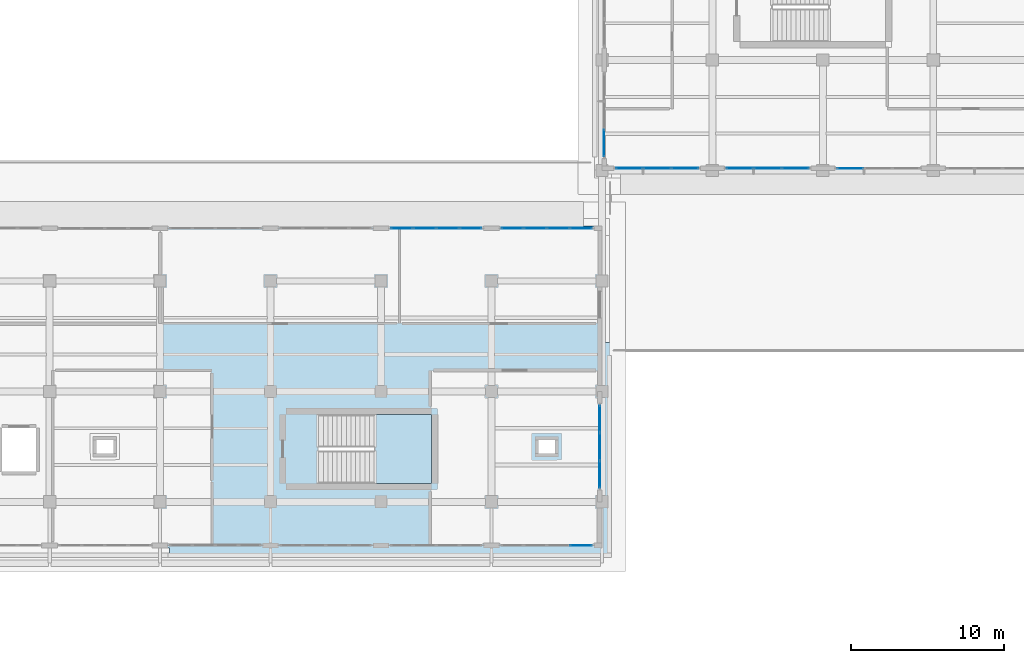
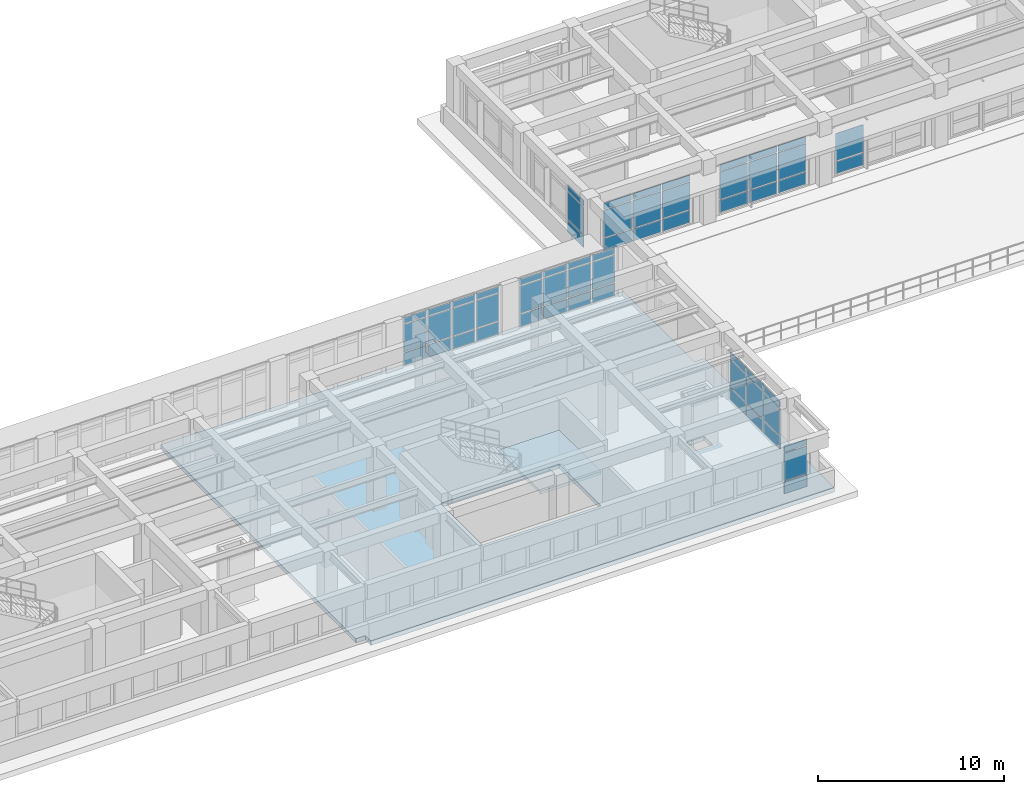
# One storey, part 38 of 67: 59 plates, 2 slabs, 9 elements without a shape of their own.
"""IFC4 building model written with IfcOpenShell, lengths in metres."""

from ifc_helpers import new_model, si_unit, direction, frame, origin, origin_2d, place, context, subcontext, project, spatial, polyline, rectangle, outline, extrude, material, layer, layer_set, type_object, element, aggregate, save


model = new_model("IFC4")

# Units and contexts
model_context = context("Model", 3, precision=1e-05, world=origin(), true_north=direction((0.0, 1.0)))
body_context = subcontext(model_context, "Body", "Model", "MODEL_VIEW")
ifc_project = project(units=[si_unit("LENGTHUNIT", "METRE"), si_unit("AREAUNIT", "SQUARE_METRE"), si_unit("VOLUMEUNIT", "CUBIC_METRE"), si_unit("PLANEANGLEUNIT", "RADIAN"), si_unit("MASSUNIT", "GRAM", prefix="KILO")], contexts=[model_context])

# Site, building, storey
site_placement = place(None, origin())
site = spatial("IfcSite", under=ifc_project, at=site_placement, CompositionType="ELEMENT")
building_placement = place(site_placement, origin())
building = spatial("IfcBuilding", under=site, at=building_placement, Name="Solenvale Faculty of Natural Sciences", CompositionType="ELEMENT")
storey_placement = place(building_placement, frame((0.0, 0.0, 13.5)))
storey = spatial("IfcBuildingStorey", under=building, at=storey_placement, Name="L03", CompositionType="ELEMENT", Elevation=13.5)

# Curtain wall, plates
ifc_material_1 = material(Name="Anodised bronze aluminium", Category="aluminium")
ifc_layer_1 = layer(ifc_material_1, 0.199951171875)
ifc_layer_set_1 = layer_set([ifc_layer_1], Name="Anodised bronze aluminium")
curtain_wall_type_1 = type_object("IfcCurtainWallType", Name="CW-COM-FIN", PredefinedType="USERDEFINED", material=ifc_layer_set_1)
curtain_wall_1_placement = place(storey_placement, origin())
curtain_wall_1 = element("IfcCurtainWall", 1, at=curtain_wall_1_placement, inside=storey, type_object=curtain_wall_type_1, Name="L03 Curtain Wall CW-L03-P2-E1-B3", ObjectType="UNITISED CURTAIN WALL", PredefinedType="USERDEFINED")
ifc_material_2 = material(Name="North-light skylight glass", Category="glass")
ifc_layer_2 = layer(ifc_material_2, 0.028076171875)
ifc_layer_set_2 = layer_set([ifc_layer_2], Name="North-light skylight glass")
plate_type_1 = type_object("IfcPlateType", Name="CWP-PNL-28", PredefinedType="CURTAIN_PANEL", material=ifc_layer_set_2)
plate_1_placement = place(storey_placement, frame((131.385498046875, 43.342529296875, 0.074951171875), z_axis=(0.0, 0.0, 1.0), x_axis=(1.0, 0.0, 0.0)))
plate_1 = element("IfcPlate", 2, at=plate_1_placement, type_object=plate_type_1, Name="CW-03 panel 1.1", PredefinedType="CURTAIN_PANEL", context=body_context, shape_type="SweptSolid", body=[
    extrude(rectangle(XDim=1.720947265625, YDim=0.028076171875, at=origin_2d()), origin(), (0.0, 0.0, 1.0), 0.78759765625),
])
plate_2_placement = place(storey_placement, frame((131.385498046875, 43.342529296875, 0.9375), z_axis=(0.0, 0.0, 1.0), x_axis=(1.0, 0.0, 0.0)))
plate_2 = element("IfcPlate", 3, at=plate_2_placement, type_object=plate_type_1, Name="CW-03 panel 1.2", PredefinedType="CURTAIN_PANEL", context=body_context, shape_type="SweptSolid", body=[
    extrude(rectangle(XDim=1.720947265625, YDim=0.028076171875, at=origin_2d()), origin(), (0.0, 0.0, 1.0), 1.784912109375),
])
aggregate(curtain_wall_1, [plate_1, plate_2])

ifc_layer_3 = layer(ifc_material_1, 0.18994140625)
ifc_layer_set_3 = layer_set([ifc_layer_3], Name="Anodised bronze aluminium")
curtain_wall_type_2 = type_object("IfcCurtainWallType", Name="CW-TRAY-REC", PredefinedType="USERDEFINED", material=ifc_layer_set_3)
curtain_wall_2_placement = place(storey_placement, origin())
curtain_wall_2 = element("IfcCurtainWall", 4, at=curtain_wall_2_placement, inside=storey, type_object=curtain_wall_type_2, Name="L03 Curtain Wall CW-L03-P1-E6-B8", ObjectType="UNITISED CURTAIN WALL", PredefinedType="USERDEFINED")
ifc_material_3 = material(Name="Triple low-E insulated glass", Category="glass")
ifc_layer_4 = layer(ifc_material_3, 0.035888671875)
ifc_layer_set_4 = layer_set([ifc_layer_4], Name="Triple low-E insulated glass")
plate_type_2 = type_object("IfcPlateType", Name="CWP-PNL-36", PredefinedType="CURTAIN_PANEL", material=ifc_layer_set_4)
plate_3_placement = place(storey_placement, frame((113.84619140625, 18.762451171875, 0.074951171875), z_axis=(0.0, 0.0, 1.0), x_axis=(1.0, 0.0, 0.0)))
plate_3 = element("IfcPlate", 5, at=plate_3_placement, type_object=plate_type_2, Name="CW-02 panel 4.1", PredefinedType="CURTAIN_PANEL", context=body_context, shape_type="SweptSolid", body=[
    extrude(rectangle(XDim=1.3974609375, YDim=0.035888671875, at=origin_2d()), origin(), (0.0, 0.0, 1.0), 0.78759765625),
])
plate_4_placement = place(storey_placement, frame((113.84619140625, 18.762451171875, 0.9375), z_axis=(0.0, 0.0, 1.0), x_axis=(1.0, 0.0, 0.0)))
plate_4 = element("IfcPlate", 6, at=plate_4_placement, type_object=plate_type_2, Name="CW-02 panel 4.2", PredefinedType="CURTAIN_PANEL", context=body_context, shape_type="SweptSolid", body=[
    extrude(rectangle(XDim=1.3974609375, YDim=0.035888671875, at=origin_2d()), origin(), (0.0, 0.0, 1.0), 1.784912109375),
])
plate_5_placement = place(storey_placement, frame((113.84619140625, 18.762451171875, 2.79736328125), z_axis=(0.0, 0.0, 1.0), x_axis=(1.0, 0.0, 0.0)))
plate_5 = element("IfcPlate", 7, at=plate_5_placement, type_object=plate_type_2, Name="CW-02 panel 4.3", PredefinedType="CURTAIN_PANEL", context=body_context, shape_type="SweptSolid", body=[
    extrude(rectangle(XDim=1.3974609375, YDim=0.035888671875, at=origin_2d()), origin(), (0.0, 0.0, 1.0), 0.387451171875),
])
aggregate(curtain_wall_2, [plate_3, plate_4, plate_5])

curtain_wall_3_placement = place(storey_placement, origin())
curtain_wall_3 = element("IfcCurtainWall", 8, at=curtain_wall_3_placement, inside=storey, type_object=curtain_wall_type_1, Name="L03 Curtain Wall CW-L03-P2-E4-B2", ObjectType="UNITISED CURTAIN WALL", PredefinedType="USERDEFINED")
plate_6_placement = place(storey_placement, frame((115.342529296875, 44.9853515625, 0.074951171875), z_axis=(0.0, 0.0, 1.0), x_axis=(0.0, -1.0, 0.0)))
plate_6 = element("IfcPlate", 9, at=plate_6_placement, type_object=plate_type_2, Name="CW-03 panel 3.1", PredefinedType="CURTAIN_PANEL", context=body_context, shape_type="SweptSolid", body=[
    extrude(rectangle(XDim=1.720947265625, YDim=0.035888671875, at=origin_2d()), origin(), (0.0, 0.0, 1.0), 0.78759765625),
])
plate_7_placement = place(storey_placement, frame((115.342529296875, 44.9853515625, 0.9375), z_axis=(0.0, 0.0, 1.0), x_axis=(0.0, -1.0, 0.0)))
plate_7 = element("IfcPlate", 10, at=plate_7_placement, type_object=plate_type_2, Name="CW-03 panel 3.2", PredefinedType="CURTAIN_PANEL", context=body_context, shape_type="SweptSolid", body=[
    extrude(rectangle(XDim=1.720947265625, YDim=0.035888671875, at=origin_2d()), origin(), (0.0, 0.0, 1.0), 1.784912109375),
])
plate_8_placement = place(storey_placement, frame((115.342529296875, 44.9853515625, 2.79736328125), z_axis=(0.0, 0.0, 1.0), x_axis=(0.0, -1.0, 0.0)))
plate_8 = element("IfcPlate", 11, at=plate_8_placement, type_object=plate_type_2, Name="CW-03 panel 3.3", PredefinedType="CURTAIN_PANEL", context=body_context, shape_type="SweptSolid", body=[
    extrude(rectangle(XDim=1.720947265625, YDim=0.035888671875, at=origin_2d()), origin(), (0.0, 0.0, 1.0), 0.387451171875),
])
aggregate(curtain_wall_3, [plate_6, plate_7, plate_8])

ifc_layer_5 = layer(ifc_material_1, 0.179931640625)
ifc_layer_set_5 = layer_set([ifc_layer_5], Name="Anodised bronze aluminium")
curtain_wall_type_3 = type_object("IfcCurtainWallType", Name="CW-TWR-MOD", PredefinedType="USERDEFINED", material=ifc_layer_set_5)
curtain_wall_4_placement = place(storey_placement, origin())
curtain_wall_4 = element("IfcCurtainWall", 12, at=curtain_wall_4_placement, inside=storey, type_object=curtain_wall_type_3, Name="L03 Curtain Wall CW-L03-P1-E7-B2", ObjectType="UNITISED CURTAIN WALL", PredefinedType="USERDEFINED")
ifc_layer_6 = layer(ifc_material_1, 0.048095703125)
ifc_layer_set_6 = layer_set([ifc_layer_6], Name="Anodised bronze aluminium")
plate_type_3 = type_object("IfcPlateType", Name="CWP-PNL-48", PredefinedType="CURTAIN_PANEL", material=ifc_layer_set_6)
plate_9_placement = place(storey_placement, frame((115.0576171875, 23.385498046875, 0.074951171875), z_axis=(0.0, 0.0, 1.0), x_axis=(0.0, 1.0, 0.0)))
plate_9 = element("IfcPlate", 13, at=plate_9_placement, type_object=plate_type_3, Name="CW-04 panel 1.1", PredefinedType="CURTAIN_PANEL", context=body_context, shape_type="SweptSolid", body=[
    extrude(rectangle(XDim=1.720947265625, YDim=0.048095703125, at=origin_2d()), origin(), (0.0, 0.0, 1.0), 0.78759765625),
])
plate_10_placement = place(storey_placement, frame((115.0576171875, 23.385498046875, 0.9375), z_axis=(0.0, 0.0, 1.0), x_axis=(0.0, 1.0, 0.0)))
plate_10 = element("IfcPlate", 14, at=plate_10_placement, type_object=plate_type_3, Name="CW-04 panel 1.2", PredefinedType="CURTAIN_PANEL", context=body_context, shape_type="SweptSolid", body=[
    extrude(rectangle(XDim=1.720947265625, YDim=0.048095703125, at=origin_2d()), origin(), (0.0, 0.0, 1.0), 1.784912109375),
])
plate_11_placement = place(storey_placement, frame((115.0576171875, 23.385498046875, 2.79736328125), z_axis=(0.0, 0.0, 1.0), x_axis=(0.0, 1.0, 0.0)))
plate_11 = element("IfcPlate", 15, at=plate_11_placement, type_object=plate_type_3, Name="CW-04 panel 1.3", PredefinedType="CURTAIN_PANEL", context=body_context, shape_type="SweptSolid", body=[
    extrude(rectangle(XDim=1.720947265625, YDim=0.048095703125, at=origin_2d()), origin(), (0.0, 0.0, 1.0), 0.387451171875),
])
plate_12_placement = place(storey_placement, frame((115.0576171875, 25.199951171875, 0.074951171875), z_axis=(0.0, 0.0, 1.0), x_axis=(0.0, 1.0, 0.0)))
plate_12 = element("IfcPlate", 16, at=plate_12_placement, type_object=plate_type_3, Name="CW-04 panel 2.1", PredefinedType="CURTAIN_PANEL", context=body_context, shape_type="SweptSolid", body=[
    extrude(rectangle(XDim=1.75830078125, YDim=0.048095703125, at=origin_2d()), origin(), (0.0, 0.0, 1.0), 0.78759765625),
])
plate_13_placement = place(storey_placement, frame((115.0576171875, 25.199951171875, 0.9375), z_axis=(0.0, 0.0, 1.0), x_axis=(0.0, 1.0, 0.0)))
plate_13 = element("IfcPlate", 17, at=plate_13_placement, type_object=plate_type_3, Name="CW-04 panel 2.2", PredefinedType="CURTAIN_PANEL", context=body_context, shape_type="SweptSolid", body=[
    extrude(rectangle(XDim=1.75830078125, YDim=0.048095703125, at=origin_2d()), origin(), (0.0, 0.0, 1.0), 1.784912109375),
])
plate_14_placement = place(storey_placement, frame((115.0576171875, 25.199951171875, 2.79736328125), z_axis=(0.0, 0.0, 1.0), x_axis=(0.0, 1.0, 0.0)))
plate_14 = element("IfcPlate", 18, at=plate_14_placement, type_object=plate_type_3, Name="CW-04 panel 2.3", PredefinedType="CURTAIN_PANEL", context=body_context, shape_type="SweptSolid", body=[
    extrude(rectangle(XDim=1.75830078125, YDim=0.048095703125, at=origin_2d()), origin(), (0.0, 0.0, 1.0), 0.387451171875),
])
plate_15_placement = place(storey_placement, frame((115.0576171875, 27.0146484375, 0.074951171875), z_axis=(0.0, 0.0, 1.0), x_axis=(0.0, 1.0, 0.0)))
plate_15 = element("IfcPlate", 19, at=plate_15_placement, type_object=plate_type_3, Name="CW-04 panel 3.1", PredefinedType="CURTAIN_PANEL", context=body_context, shape_type="SweptSolid", body=[
    extrude(rectangle(XDim=1.720947265625, YDim=0.048095703125, at=origin_2d()), origin(), (0.0, 0.0, 1.0), 0.78759765625),
])
plate_16_placement = place(storey_placement, frame((115.0576171875, 27.0146484375, 0.9375), z_axis=(0.0, 0.0, 1.0), x_axis=(0.0, 1.0, 0.0)))
plate_16 = element("IfcPlate", 20, at=plate_16_placement, type_object=plate_type_3, Name="CW-04 panel 3.2", PredefinedType="CURTAIN_PANEL", context=body_context, shape_type="SweptSolid", body=[
    extrude(rectangle(XDim=1.720947265625, YDim=0.048095703125, at=origin_2d()), origin(), (0.0, 0.0, 1.0), 1.784912109375),
])
plate_17_placement = place(storey_placement, frame((115.0576171875, 27.0146484375, 2.79736328125), z_axis=(0.0, 0.0, 1.0), x_axis=(0.0, 1.0, 0.0)))
plate_17 = element("IfcPlate", 21, at=plate_17_placement, type_object=plate_type_3, Name="CW-04 panel 3.3", PredefinedType="CURTAIN_PANEL", context=body_context, shape_type="SweptSolid", body=[
    extrude(rectangle(XDim=1.720947265625, YDim=0.048095703125, at=origin_2d()), origin(), (0.0, 0.0, 1.0), 0.387451171875),
])
aggregate(curtain_wall_4, [plate_9, plate_10, plate_11, plate_12, plate_13, plate_14, plate_15, plate_16, plate_17])

curtain_wall_5_placement = place(storey_placement, origin())
curtain_wall_5 = element("IfcCurtainWall", 22, at=curtain_wall_5_placement, inside=storey, type_object=curtain_wall_type_2, Name="L03 Curtain Wall CW-L03-P1-E8-B1", ObjectType="UNITISED CURTAIN WALL", PredefinedType="USERDEFINED")
plate_18_placement = place(storey_placement, frame((113.84619140625, 39.4375, 0.074951171875), z_axis=(0.0, 0.0, 1.0), x_axis=(-1.0, 0.0, 0.0)))
plate_18 = element("IfcPlate", 23, at=plate_18_placement, type_object=plate_type_3, Name="CW-02 panel 1.1", PredefinedType="CURTAIN_PANEL", context=body_context, shape_type="SweptSolid", body=[
    extrude(rectangle(XDim=1.3974609375, YDim=0.048095703125, at=origin_2d()), origin(), (0.0, 0.0, 1.0), 0.78759765625),
])
plate_19_placement = place(storey_placement, frame((113.84619140625, 39.4375, 0.9375), z_axis=(0.0, 0.0, 1.0), x_axis=(-1.0, 0.0, 0.0)))
plate_19 = element("IfcPlate", 24, at=plate_19_placement, type_object=plate_type_3, Name="CW-02 panel 1.2", PredefinedType="CURTAIN_PANEL", context=body_context, shape_type="SweptSolid", body=[
    extrude(rectangle(XDim=1.3974609375, YDim=0.048095703125, at=origin_2d()), origin(), (0.0, 0.0, 1.0), 1.784912109375),
])
plate_20_placement = place(storey_placement, frame((113.84619140625, 39.4375, 2.79736328125), z_axis=(0.0, 0.0, 1.0), x_axis=(-1.0, 0.0, 0.0)))
plate_20 = element("IfcPlate", 25, at=plate_20_placement, type_object=plate_type_3, Name="CW-02 panel 1.3", PredefinedType="CURTAIN_PANEL", context=body_context, shape_type="SweptSolid", body=[
    extrude(rectangle(XDim=1.3974609375, YDim=0.048095703125, at=origin_2d()), origin(), (0.0, 0.0, 1.0), 0.387451171875),
])
plate_21_placement = place(storey_placement, frame((112.35498046875, 39.4375, 0.074951171875), z_axis=(0.0, 0.0, 1.0), x_axis=(-1.0, 0.0, 0.0)))
plate_21 = element("IfcPlate", 26, at=plate_21_placement, type_object=plate_type_3, Name="CW-02 panel 2.1", PredefinedType="CURTAIN_PANEL", context=body_context, shape_type="SweptSolid", body=[
    extrude(rectangle(XDim=1.43505859375, YDim=0.048095703125, at=origin_2d()), origin(), (0.0, 0.0, 1.0), 0.78759765625),
])
plate_22_placement = place(storey_placement, frame((112.35498046875, 39.4375, 0.9375), z_axis=(0.0, 0.0, 1.0), x_axis=(-1.0, 0.0, 0.0)))
plate_22 = element("IfcPlate", 27, at=plate_22_placement, type_object=plate_type_3, Name="CW-02 panel 2.2", PredefinedType="CURTAIN_PANEL", context=body_context, shape_type="SweptSolid", body=[
    extrude(rectangle(XDim=1.43505859375, YDim=0.048095703125, at=origin_2d()), origin(), (0.0, 0.0, 1.0), 1.784912109375),
])
plate_23_placement = place(storey_placement, frame((112.35498046875, 39.4375, 2.79736328125), z_axis=(0.0, 0.0, 1.0), x_axis=(-1.0, 0.0, 0.0)))
plate_23 = element("IfcPlate", 28, at=plate_23_placement, type_object=plate_type_3, Name="CW-02 panel 2.3", PredefinedType="CURTAIN_PANEL", context=body_context, shape_type="SweptSolid", body=[
    extrude(rectangle(XDim=1.43505859375, YDim=0.048095703125, at=origin_2d()), origin(), (0.0, 0.0, 1.0), 0.387451171875),
])
plate_24_placement = place(storey_placement, frame((110.844970703125, 39.4375, 0.074951171875), z_axis=(0.0, 0.0, 1.0), x_axis=(-1.0, 0.0, 0.0)))
plate_24 = element("IfcPlate", 29, at=plate_24_placement, type_object=plate_type_3, Name="CW-02 panel 3.1", PredefinedType="CURTAIN_PANEL", context=body_context, shape_type="SweptSolid", body=[
    extrude(rectangle(XDim=1.43505859375, YDim=0.048095703125, at=origin_2d()), origin(), (0.0, 0.0, 1.0), 0.78759765625),
])
plate_25_placement = place(storey_placement, frame((110.844970703125, 39.4375, 0.9375), z_axis=(0.0, 0.0, 1.0), x_axis=(-1.0, 0.0, 0.0)))
plate_25 = element("IfcPlate", 30, at=plate_25_placement, type_object=plate_type_3, Name="CW-02 panel 3.2", PredefinedType="CURTAIN_PANEL", context=body_context, shape_type="SweptSolid", body=[
    extrude(rectangle(XDim=1.43505859375, YDim=0.048095703125, at=origin_2d()), origin(), (0.0, 0.0, 1.0), 1.784912109375),
])
plate_26_placement = place(storey_placement, frame((110.844970703125, 39.4375, 2.79736328125), z_axis=(0.0, 0.0, 1.0), x_axis=(-1.0, 0.0, 0.0)))
plate_26 = element("IfcPlate", 31, at=plate_26_placement, type_object=plate_type_3, Name="CW-02 panel 3.3", PredefinedType="CURTAIN_PANEL", context=body_context, shape_type="SweptSolid", body=[
    extrude(rectangle(XDim=1.43505859375, YDim=0.048095703125, at=origin_2d()), origin(), (0.0, 0.0, 1.0), 0.387451171875),
])
plate_27_placement = place(storey_placement, frame((109.353759765625, 39.4375, 0.074951171875), z_axis=(0.0, 0.0, 1.0), x_axis=(-1.0, 0.0, 0.0)))
plate_27 = element("IfcPlate", 32, at=plate_27_placement, type_object=plate_type_3, Name="CW-02 panel 4.1", PredefinedType="CURTAIN_PANEL", context=body_context, shape_type="SweptSolid", body=[
    extrude(rectangle(XDim=1.3974609375, YDim=0.048095703125, at=origin_2d()), origin(), (0.0, 0.0, 1.0), 0.78759765625),
])
plate_28_placement = place(storey_placement, frame((109.353759765625, 39.4375, 0.9375), z_axis=(0.0, 0.0, 1.0), x_axis=(-1.0, 0.0, 0.0)))
plate_28 = element("IfcPlate", 33, at=plate_28_placement, type_object=plate_type_3, Name="CW-02 panel 4.2", PredefinedType="CURTAIN_PANEL", context=body_context, shape_type="SweptSolid", body=[
    extrude(rectangle(XDim=1.3974609375, YDim=0.048095703125, at=origin_2d()), origin(), (0.0, 0.0, 1.0), 1.784912109375),
])
plate_29_placement = place(storey_placement, frame((109.353759765625, 39.4375, 2.79736328125), z_axis=(0.0, 0.0, 1.0), x_axis=(-1.0, 0.0, 0.0)))
plate_29 = element("IfcPlate", 34, at=plate_29_placement, type_object=plate_type_3, Name="CW-02 panel 4.3", PredefinedType="CURTAIN_PANEL", context=body_context, shape_type="SweptSolid", body=[
    extrude(rectangle(XDim=1.3974609375, YDim=0.048095703125, at=origin_2d()), origin(), (0.0, 0.0, 1.0), 0.387451171875),
])
aggregate(curtain_wall_5, [plate_18, plate_19, plate_20, plate_21, plate_22, plate_23, plate_24, plate_25, plate_26, plate_27, plate_28, plate_29])

curtain_wall_6_placement = place(storey_placement, origin())
curtain_wall_6 = element("IfcCurtainWall", 35, at=curtain_wall_6_placement, inside=storey, type_object=curtain_wall_type_2, Name="L03 Curtain Wall CW-L03-P1-E8-B2", ObjectType="UNITISED CURTAIN WALL", PredefinedType="USERDEFINED")
ifc_layer_7 = layer(ifc_material_1, 0.053955078125)
ifc_layer_set_7 = layer_set([ifc_layer_7], Name="Anodised bronze aluminium")
plate_type_4 = type_object("IfcPlateType", Name="CWP-PNL-54", PredefinedType="CURTAIN_PANEL", material=ifc_layer_set_7)
plate_30_placement = place(storey_placement, frame((106.646240234375, 39.4375, 0.074951171875), z_axis=(0.0, 0.0, 1.0), x_axis=(-1.0, 0.0, 0.0)))
plate_30 = element("IfcPlate", 36, at=plate_30_placement, type_object=plate_type_4, Name="CW-02 panel 1.1", PredefinedType="CURTAIN_PANEL", context=body_context, shape_type="SweptSolid", body=[
    extrude(rectangle(XDim=1.3974609375, YDim=0.053955078125, at=origin_2d()), origin(), (0.0, 0.0, 1.0), 0.78759765625),
])
plate_31_placement = place(storey_placement, frame((106.646240234375, 39.4375, 0.9375), z_axis=(0.0, 0.0, 1.0), x_axis=(-1.0, 0.0, 0.0)))
plate_31 = element("IfcPlate", 37, at=plate_31_placement, type_object=plate_type_4, Name="CW-02 panel 1.2", PredefinedType="CURTAIN_PANEL", context=body_context, shape_type="SweptSolid", body=[
    extrude(rectangle(XDim=1.3974609375, YDim=0.053955078125, at=origin_2d()), origin(), (0.0, 0.0, 1.0), 1.784912109375),
])
plate_32_placement = place(storey_placement, frame((106.646240234375, 39.4375, 2.79736328125), z_axis=(0.0, 0.0, 1.0), x_axis=(-1.0, 0.0, 0.0)))
plate_32 = element("IfcPlate", 38, at=plate_32_placement, type_object=plate_type_4, Name="CW-02 panel 1.3", PredefinedType="CURTAIN_PANEL", context=body_context, shape_type="SweptSolid", body=[
    extrude(rectangle(XDim=1.3974609375, YDim=0.053955078125, at=origin_2d()), origin(), (0.0, 0.0, 1.0), 0.387451171875),
])
plate_33_placement = place(storey_placement, frame((105.155029296875, 39.4375, 0.074951171875), z_axis=(0.0, 0.0, 1.0), x_axis=(-1.0, 0.0, 0.0)))
plate_33 = element("IfcPlate", 39, at=plate_33_placement, type_object=plate_type_4, Name="CW-02 panel 2.1", PredefinedType="CURTAIN_PANEL", context=body_context, shape_type="SweptSolid", body=[
    extrude(rectangle(XDim=1.43505859375, YDim=0.053955078125, at=origin_2d()), origin(), (0.0, 0.0, 1.0), 0.78759765625),
])
plate_34_placement = place(storey_placement, frame((105.155029296875, 39.4375, 0.9375), z_axis=(0.0, 0.0, 1.0), x_axis=(-1.0, 0.0, 0.0)))
plate_34 = element("IfcPlate", 40, at=plate_34_placement, type_object=plate_type_4, Name="CW-02 panel 2.2", PredefinedType="CURTAIN_PANEL", context=body_context, shape_type="SweptSolid", body=[
    extrude(rectangle(XDim=1.43505859375, YDim=0.053955078125, at=origin_2d()), origin(), (0.0, 0.0, 1.0), 1.784912109375),
])
plate_35_placement = place(storey_placement, frame((105.155029296875, 39.4375, 2.79736328125), z_axis=(0.0, 0.0, 1.0), x_axis=(-1.0, 0.0, 0.0)))
plate_35 = element("IfcPlate", 41, at=plate_35_placement, type_object=plate_type_4, Name="CW-02 panel 2.3", PredefinedType="CURTAIN_PANEL", context=body_context, shape_type="SweptSolid", body=[
    extrude(rectangle(XDim=1.43505859375, YDim=0.053955078125, at=origin_2d()), origin(), (0.0, 0.0, 1.0), 0.387451171875),
])
plate_36_placement = place(storey_placement, frame((103.64501953125, 39.4375, 0.074951171875), z_axis=(0.0, 0.0, 1.0), x_axis=(-1.0, 0.0, 0.0)))
plate_36 = element("IfcPlate", 42, at=plate_36_placement, type_object=plate_type_4, Name="CW-02 panel 3.1", PredefinedType="CURTAIN_PANEL", context=body_context, shape_type="SweptSolid", body=[
    extrude(rectangle(XDim=1.43505859375, YDim=0.053955078125, at=origin_2d()), origin(), (0.0, 0.0, 1.0), 0.78759765625),
])
plate_37_placement = place(storey_placement, frame((103.64501953125, 39.4375, 0.9375), z_axis=(0.0, 0.0, 1.0), x_axis=(-1.0, 0.0, 0.0)))
plate_37 = element("IfcPlate", 43, at=plate_37_placement, type_object=plate_type_4, Name="CW-02 panel 3.2", PredefinedType="CURTAIN_PANEL", context=body_context, shape_type="SweptSolid", body=[
    extrude(rectangle(XDim=1.43505859375, YDim=0.053955078125, at=origin_2d()), origin(), (0.0, 0.0, 1.0), 1.784912109375),
])
plate_38_placement = place(storey_placement, frame((103.64501953125, 39.4375, 2.79736328125), z_axis=(0.0, 0.0, 1.0), x_axis=(-1.0, 0.0, 0.0)))
plate_38 = element("IfcPlate", 44, at=plate_38_placement, type_object=plate_type_4, Name="CW-02 panel 3.3", PredefinedType="CURTAIN_PANEL", context=body_context, shape_type="SweptSolid", body=[
    extrude(rectangle(XDim=1.43505859375, YDim=0.053955078125, at=origin_2d()), origin(), (0.0, 0.0, 1.0), 0.387451171875),
])
plate_39_placement = place(storey_placement, frame((102.15380859375, 39.4375, 0.074951171875), z_axis=(0.0, 0.0, 1.0), x_axis=(-1.0, 0.0, 0.0)))
plate_39 = element("IfcPlate", 45, at=plate_39_placement, type_object=plate_type_4, Name="CW-02 panel 4.1", PredefinedType="CURTAIN_PANEL", context=body_context, shape_type="SweptSolid", body=[
    extrude(rectangle(XDim=1.3974609375, YDim=0.053955078125, at=origin_2d()), origin(), (0.0, 0.0, 1.0), 0.78759765625),
])
plate_40_placement = place(storey_placement, frame((102.15380859375, 39.4375, 0.9375), z_axis=(0.0, 0.0, 1.0), x_axis=(-1.0, 0.0, 0.0)))
plate_40 = element("IfcPlate", 46, at=plate_40_placement, type_object=plate_type_4, Name="CW-02 panel 4.2", PredefinedType="CURTAIN_PANEL", context=body_context, shape_type="SweptSolid", body=[
    extrude(rectangle(XDim=1.3974609375, YDim=0.053955078125, at=origin_2d()), origin(), (0.0, 0.0, 1.0), 1.784912109375),
])
plate_41_placement = place(storey_placement, frame((102.15380859375, 39.4375, 2.79736328125), z_axis=(0.0, 0.0, 1.0), x_axis=(-1.0, 0.0, 0.0)))
plate_41 = element("IfcPlate", 47, at=plate_41_placement, type_object=plate_type_4, Name="CW-02 panel 4.3", PredefinedType="CURTAIN_PANEL", context=body_context, shape_type="SweptSolid", body=[
    extrude(rectangle(XDim=1.3974609375, YDim=0.053955078125, at=origin_2d()), origin(), (0.0, 0.0, 1.0), 0.387451171875),
])
aggregate(curtain_wall_6, [plate_30, plate_31, plate_32, plate_33, plate_34, plate_35, plate_36, plate_37, plate_38, plate_39, plate_40, plate_41])

curtain_wall_7_placement = place(storey_placement, origin())
curtain_wall_7 = element("IfcCurtainWall", 48, at=curtain_wall_7_placement, inside=storey, type_object=curtain_wall_type_1, Name="L03 Curtain Wall CW-L03-P2-E1-B1", ObjectType="UNITISED CURTAIN WALL", PredefinedType="USERDEFINED")
plate_42_placement = place(storey_placement, frame((116.9853515625, 43.342529296875, 0.074951171875), z_axis=(0.0, 0.0, 1.0), x_axis=(1.0, 0.0, 0.0)))
plate_42 = element("IfcPlate", 49, at=plate_42_placement, type_object=plate_type_4, Name="CW-03 panel 1.1", PredefinedType="CURTAIN_PANEL", context=body_context, shape_type="SweptSolid", body=[
    extrude(rectangle(XDim=1.720947265625, YDim=0.053955078125, at=origin_2d()), origin(), (0.0, 0.0, 1.0), 0.78759765625),
])
plate_43_placement = place(storey_placement, frame((116.9853515625, 43.342529296875, 0.9375), z_axis=(0.0, 0.0, 1.0), x_axis=(1.0, 0.0, 0.0)))
plate_43 = element("IfcPlate", 50, at=plate_43_placement, type_object=plate_type_4, Name="CW-03 panel 1.2", PredefinedType="CURTAIN_PANEL", context=body_context, shape_type="SweptSolid", body=[
    extrude(rectangle(XDim=1.720947265625, YDim=0.053955078125, at=origin_2d()), origin(), (0.0, 0.0, 1.0), 1.784912109375),
])
plate_44_placement = place(storey_placement, frame((116.9853515625, 43.342529296875, 2.79736328125), z_axis=(0.0, 0.0, 1.0), x_axis=(1.0, 0.0, 0.0)))
plate_44 = element("IfcPlate", 51, at=plate_44_placement, type_object=plate_type_4, Name="CW-03 panel 1.3", PredefinedType="CURTAIN_PANEL", context=body_context, shape_type="SweptSolid", body=[
    extrude(rectangle(XDim=1.720947265625, YDim=0.053955078125, at=origin_2d()), origin(), (0.0, 0.0, 1.0), 0.387451171875),
])
plate_45_placement = place(storey_placement, frame((118.800048828125, 43.342529296875, 0.074951171875), z_axis=(0.0, 0.0, 1.0), x_axis=(1.0, 0.0, 0.0)))
plate_45 = element("IfcPlate", 52, at=plate_45_placement, type_object=plate_type_4, Name="CW-03 panel 2.1", PredefinedType="CURTAIN_PANEL", context=body_context, shape_type="SweptSolid", body=[
    extrude(rectangle(XDim=1.75830078125, YDim=0.053955078125, at=origin_2d()), origin(), (0.0, 0.0, 1.0), 0.78759765625),
])
plate_46_placement = place(storey_placement, frame((118.800048828125, 43.342529296875, 0.9375), z_axis=(0.0, 0.0, 1.0), x_axis=(1.0, 0.0, 0.0)))
plate_46 = element("IfcPlate", 53, at=plate_46_placement, type_object=plate_type_4, Name="CW-03 panel 2.2", PredefinedType="CURTAIN_PANEL", context=body_context, shape_type="SweptSolid", body=[
    extrude(rectangle(XDim=1.75830078125, YDim=0.053955078125, at=origin_2d()), origin(), (0.0, 0.0, 1.0), 1.784912109375),
])
plate_47_placement = place(storey_placement, frame((118.800048828125, 43.342529296875, 2.79736328125), z_axis=(0.0, 0.0, 1.0), x_axis=(1.0, 0.0, 0.0)))
plate_47 = element("IfcPlate", 54, at=plate_47_placement, type_object=plate_type_4, Name="CW-03 panel 2.3", PredefinedType="CURTAIN_PANEL", context=body_context, shape_type="SweptSolid", body=[
    extrude(rectangle(XDim=1.75830078125, YDim=0.053955078125, at=origin_2d()), origin(), (0.0, 0.0, 1.0), 0.387451171875),
])
plate_48_placement = place(storey_placement, frame((120.614501953125, 43.342529296875, 0.074951171875), z_axis=(0.0, 0.0, 1.0), x_axis=(1.0, 0.0, 0.0)))
plate_48 = element("IfcPlate", 55, at=plate_48_placement, type_object=plate_type_4, Name="CW-03 panel 3.1", PredefinedType="CURTAIN_PANEL", context=body_context, shape_type="SweptSolid", body=[
    extrude(rectangle(XDim=1.720947265625, YDim=0.053955078125, at=origin_2d()), origin(), (0.0, 0.0, 1.0), 0.78759765625),
])
plate_49_placement = place(storey_placement, frame((120.614501953125, 43.342529296875, 0.9375), z_axis=(0.0, 0.0, 1.0), x_axis=(1.0, 0.0, 0.0)))
plate_49 = element("IfcPlate", 56, at=plate_49_placement, type_object=plate_type_4, Name="CW-03 panel 3.2", PredefinedType="CURTAIN_PANEL", context=body_context, shape_type="SweptSolid", body=[
    extrude(rectangle(XDim=1.720947265625, YDim=0.053955078125, at=origin_2d()), origin(), (0.0, 0.0, 1.0), 1.784912109375),
])
plate_50_placement = place(storey_placement, frame((120.614501953125, 43.342529296875, 2.79736328125), z_axis=(0.0, 0.0, 1.0), x_axis=(1.0, 0.0, 0.0)))
plate_50 = element("IfcPlate", 57, at=plate_50_placement, type_object=plate_type_4, Name="CW-03 panel 3.3", PredefinedType="CURTAIN_PANEL", context=body_context, shape_type="SweptSolid", body=[
    extrude(rectangle(XDim=1.720947265625, YDim=0.053955078125, at=origin_2d()), origin(), (0.0, 0.0, 1.0), 0.387451171875),
])
aggregate(curtain_wall_7, [plate_42, plate_43, plate_44, plate_45, plate_46, plate_47, plate_48, plate_49, plate_50])

curtain_wall_8_placement = place(storey_placement, origin())
curtain_wall_8 = element("IfcCurtainWall", 58, at=curtain_wall_8_placement, inside=storey, type_object=curtain_wall_type_1, Name="L03 Curtain Wall CW-L03-P2-E1-B2", ObjectType="UNITISED CURTAIN WALL", PredefinedType="USERDEFINED")
ifc_layer_8 = layer(ifc_material_1, 0.06005859375)
ifc_layer_set_8 = layer_set([ifc_layer_8], Name="Anodised bronze aluminium")
plate_type_5 = type_object("IfcPlateType", Name="CWP-PNL-60", PredefinedType="CURTAIN_PANEL", material=ifc_layer_set_8)
plate_51_placement = place(storey_placement, frame((124.185302734375, 43.342529296875, 0.074951171875), z_axis=(0.0, 0.0, 1.0), x_axis=(1.0, 0.0, 0.0)))
plate_51 = element("IfcPlate", 59, at=plate_51_placement, type_object=plate_type_5, Name="CW-03 panel 1.1", PredefinedType="CURTAIN_PANEL", context=body_context, shape_type="SweptSolid", body=[
    extrude(rectangle(XDim=1.720947265625, YDim=0.06005859375, at=origin_2d()), origin(), (0.0, 0.0, 1.0), 0.78759765625),
])
plate_52_placement = place(storey_placement, frame((124.185302734375, 43.342529296875, 0.9375), z_axis=(0.0, 0.0, 1.0), x_axis=(1.0, 0.0, 0.0)))
plate_52 = element("IfcPlate", 60, at=plate_52_placement, type_object=plate_type_5, Name="CW-03 panel 1.2", PredefinedType="CURTAIN_PANEL", context=body_context, shape_type="SweptSolid", body=[
    extrude(rectangle(XDim=1.720947265625, YDim=0.06005859375, at=origin_2d()), origin(), (0.0, 0.0, 1.0), 1.784912109375),
])
plate_53_placement = place(storey_placement, frame((124.185302734375, 43.342529296875, 2.79736328125), z_axis=(0.0, 0.0, 1.0), x_axis=(1.0, 0.0, 0.0)))
plate_53 = element("IfcPlate", 61, at=plate_53_placement, type_object=plate_type_5, Name="CW-03 panel 1.3", PredefinedType="CURTAIN_PANEL", context=body_context, shape_type="SweptSolid", body=[
    extrude(rectangle(XDim=1.720947265625, YDim=0.06005859375, at=origin_2d()), origin(), (0.0, 0.0, 1.0), 0.387451171875),
])
plate_54_placement = place(storey_placement, frame((126.0, 43.342529296875, 0.074951171875), z_axis=(0.0, 0.0, 1.0), x_axis=(1.0, 0.0, 0.0)))
plate_54 = element("IfcPlate", 62, at=plate_54_placement, type_object=plate_type_5, Name="CW-03 panel 2.1", PredefinedType="CURTAIN_PANEL", context=body_context, shape_type="SweptSolid", body=[
    extrude(rectangle(XDim=1.75830078125, YDim=0.06005859375, at=origin_2d()), origin(), (0.0, 0.0, 1.0), 0.78759765625),
])
plate_55_placement = place(storey_placement, frame((126.0, 43.342529296875, 0.9375), z_axis=(0.0, 0.0, 1.0), x_axis=(1.0, 0.0, 0.0)))
plate_55 = element("IfcPlate", 63, at=plate_55_placement, type_object=plate_type_5, Name="CW-03 panel 2.2", PredefinedType="CURTAIN_PANEL", context=body_context, shape_type="SweptSolid", body=[
    extrude(rectangle(XDim=1.75830078125, YDim=0.06005859375, at=origin_2d()), origin(), (0.0, 0.0, 1.0), 1.784912109375),
])
plate_56_placement = place(storey_placement, frame((126.0, 43.342529296875, 2.79736328125), z_axis=(0.0, 0.0, 1.0), x_axis=(1.0, 0.0, 0.0)))
plate_56 = element("IfcPlate", 64, at=plate_56_placement, type_object=plate_type_5, Name="CW-03 panel 2.3", PredefinedType="CURTAIN_PANEL", context=body_context, shape_type="SweptSolid", body=[
    extrude(rectangle(XDim=1.75830078125, YDim=0.06005859375, at=origin_2d()), origin(), (0.0, 0.0, 1.0), 0.387451171875),
])
plate_57_placement = place(storey_placement, frame((127.814697265625, 43.342529296875, 0.074951171875), z_axis=(0.0, 0.0, 1.0), x_axis=(1.0, 0.0, 0.0)))
plate_57 = element("IfcPlate", 65, at=plate_57_placement, type_object=plate_type_5, Name="CW-03 panel 3.1", PredefinedType="CURTAIN_PANEL", context=body_context, shape_type="SweptSolid", body=[
    extrude(rectangle(XDim=1.720947265625, YDim=0.06005859375, at=origin_2d()), origin(), (0.0, 0.0, 1.0), 0.78759765625),
])
plate_58_placement = place(storey_placement, frame((127.814697265625, 43.342529296875, 0.9375), z_axis=(0.0, 0.0, 1.0), x_axis=(1.0, 0.0, 0.0)))
plate_58 = element("IfcPlate", 66, at=plate_58_placement, type_object=plate_type_5, Name="CW-03 panel 3.2", PredefinedType="CURTAIN_PANEL", context=body_context, shape_type="SweptSolid", body=[
    extrude(rectangle(XDim=1.720947265625, YDim=0.06005859375, at=origin_2d()), origin(), (0.0, 0.0, 1.0), 1.784912109375),
])
plate_59_placement = place(storey_placement, frame((127.814697265625, 43.342529296875, 2.79736328125), z_axis=(0.0, 0.0, 1.0), x_axis=(1.0, 0.0, 0.0)))
plate_59 = element("IfcPlate", 67, at=plate_59_placement, type_object=plate_type_5, Name="CW-03 panel 3.3", PredefinedType="CURTAIN_PANEL", context=body_context, shape_type="SweptSolid", body=[
    extrude(rectangle(XDim=1.720947265625, YDim=0.06005859375, at=origin_2d()), origin(), (0.0, 0.0, 1.0), 0.387451171875),
])
aggregate(curtain_wall_8, [plate_51, plate_52, plate_53, plate_54, plate_55, plate_56, plate_57, plate_58, plate_59])

# Stair, slab
ifc_material_4 = material(Name="Concrete 40 MPa", Category="concrete")
stair_type = type_object("IfcStairType", Name="STR-CORE-25R", PredefinedType="DOUBLE_RETURN_STAIR", material=ifc_material_4)
stair_placement = place(storey_placement, origin())
stair = element("IfcStair", 68, at=stair_placement, inside=storey, type_object=stair_type, Name="L03 Protected Exit Stair ST-07", PredefinedType="DOUBLE_RETURN_STAIR")
ifc_layer_9 = layer(ifc_material_4, 0.195068359375)
ifc_layer_set_9 = layer_set([ifc_layer_9], Name="Concrete 40 MPa")
slab_type_1 = type_object("IfcSlabType", Name="SL-LND-195", PredefinedType="LANDING", material=ifc_layer_set_9)
slab_1_placement = place(storey_placement, frame((0.0, 0.0, 2.050048828125)))
slab_1 = element("IfcSlab", 69, at=slab_1_placement, type_object=slab_type_1, Name="ST-07 landing 1", PredefinedType="LANDING", context=body_context, shape_type="SweptSolid", body=[
    extrude(outline(polyline([(100.340087890625, 22.800048828125), (104.10009765625, 22.800048828125), (104.10009765625, 27.300048828125), (100.340087890625, 27.300048828125), (100.340087890625, 22.800048828125)])), origin(), (0.0, 0.0, 1.0), 0.199951171875),
])
aggregate(stair, [slab_1])

# Slab
ifc_material_5 = material(Name="Architectural bronze concrete 40 MPa", Category="concrete")
ifc_layer_10 = layer(ifc_material_5, 0.280029296875)
ifc_layer_set_10 = layer_set([ifc_layer_10], Name="Architectural bronze concrete 40 MPa")
slab_type_2 = type_object("IfcSlabType", Name="SL-TRAY-280", PredefinedType="FLOOR", material=ifc_layer_set_10)
slab_2_placement = place(storey_placement, frame((0.0, 0.0, -0.280029296875)))
element("IfcSlab", 70, at=slab_2_placement, inside=storey, type_object=slab_type_2, Name="L03 V4 Floor Slab 2.1", PredefinedType="FLOOR", context=body_context, shape_type="SweptSolid", body=[
    extrude(outline(polyline([(86.455078125, 18.580078125), (86.437255859375, 18.58740234375), (86.429931640625, 18.60498046875), (86.429931640625, 39.574951171875), (86.441162109375, 39.595703125), (115.175048828125, 39.60009765625), (115.19580078125, 39.5888671875), (115.199951171875, 31.97998046875), (115.794921875, 31.97998046875), (115.812744140625, 31.97265625), (115.820068359375, 31.955078125), (115.820068359375, 18.0048828125), (115.808837890625, 17.984130859375), (87.044921875, 17.97998046875), (87.02734375, 17.9873046875), (87.02001953125, 18.0048828125), (87.02001953125, 18.580078125), (86.455078125, 18.580078125)]), holes=[polyline([(111.050048828125, 24.75), (112.14990234375, 24.75), (112.14990234375, 25.64990234375), (111.050048828125, 25.64990234375), (111.050048828125, 24.75)]), polyline([(96.739990234375, 22.800048828125), (104.10009765625, 22.800048828125), (104.10009765625, 27.300048828125), (96.739990234375, 27.300048828125), (96.739990234375, 22.800048828125)])]), origin(), (0.0, 0.0, 1.0), 0.280029296875),
])

save(model, "model.ifc")
